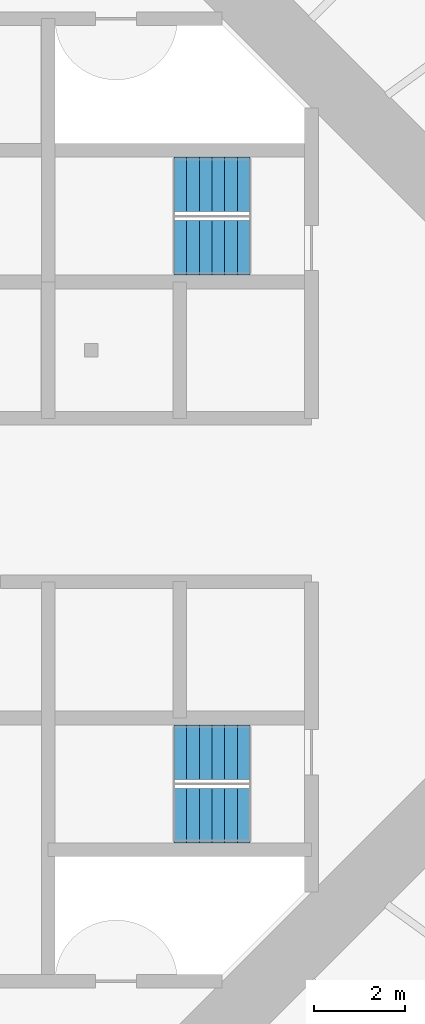
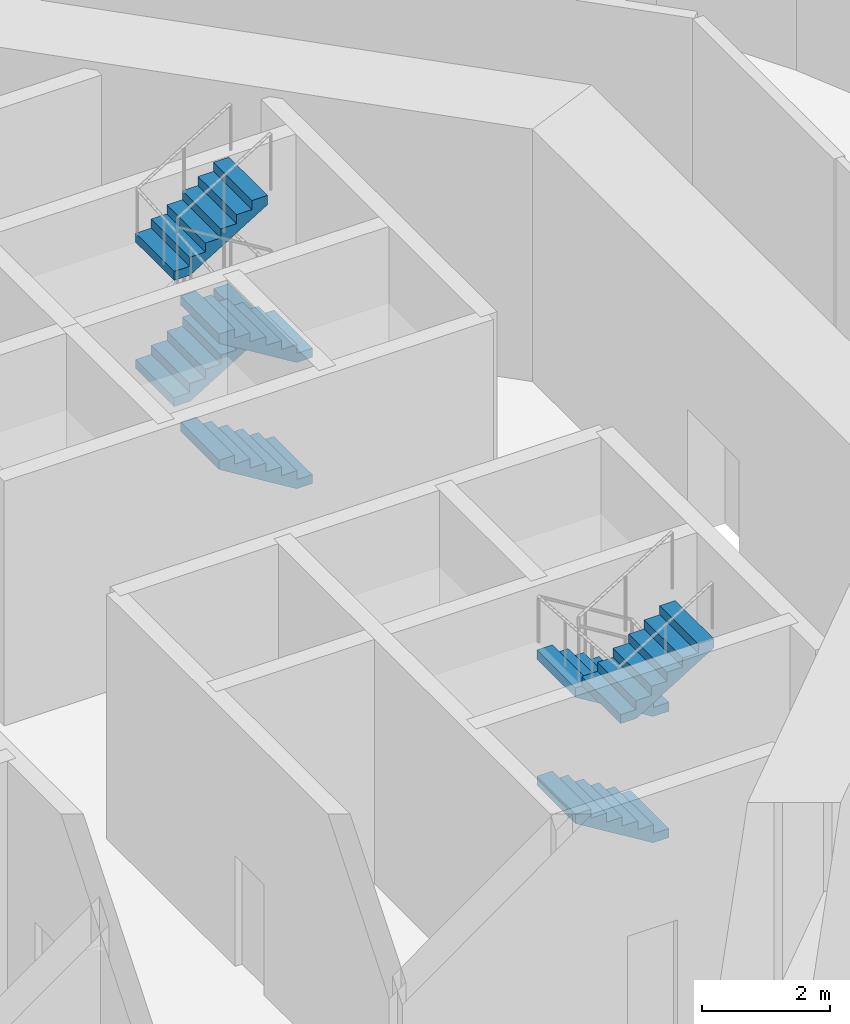
# One storey, part 6 of 7: 7 stair flights, 2 elements without a shape of their own.
"""IFC4 building model written with IfcOpenShell, lengths in metres."""

from ifc_helpers import new_model, si_unit, direction, frame, origin, place, context, subcontext, project, spatial, polyline, outline, extrude, material, type_object, element, aggregate, save


model = new_model("IFC4")

# Units and contexts
model_context = context("Model", 3, precision=1e-05, world=origin(), true_north=direction((0.0, 1.0)))
body_context = subcontext(model_context, "Body", "Model", "MODEL_VIEW")
ifc_project = project(units=[si_unit("LENGTHUNIT", "METRE"), si_unit("AREAUNIT", "SQUARE_METRE"), si_unit("VOLUMEUNIT", "CUBIC_METRE"), si_unit("PLANEANGLEUNIT", "RADIAN"), si_unit("MASSUNIT", "GRAM", prefix="KILO")], contexts=[model_context])

# Site, building, storey
site_placement = place(None, origin())
site = spatial("IfcSite", under=ifc_project, at=site_placement, CompositionType="ELEMENT")
building_placement = place(site_placement, origin())
building = spatial("IfcBuilding", under=site, at=building_placement, Name="Entoto Ring Tower", CompositionType="ELEMENT")
storey_placement = place(building_placement, frame((0.0, 0.0, -4.800048828125)))
storey = spatial("IfcBuildingStorey", under=building, at=storey_placement, Name="B1", CompositionType="ELEMENT", Elevation=-4.800048828125)

# Stair, stair flights
ifc_material_1 = material(Name="Concrete C40/50", Category="concrete")
stair_type = type_object("IfcStairType", Name="Exit stair 1200 mm dog-leg reinforced concrete", PredefinedType="HALF_TURN_STAIR", material=ifc_material_1)
stair_1_placement = place(storey_placement, origin())
stair_1 = element("IfcStair", 1, at=stair_1_placement, inside=storey, type_object=stair_type, Name="Exit stair 1", PredefinedType="HALF_TURN_STAIR")
ifc_material_2 = material(Name="Concrete C40/50", Category="concrete")
stair_flight_type = type_object("IfcStairFlightType", Name="Stair flight 1200 mm reinforced concrete", PredefinedType="STRAIGHT", material=ifc_material_2)
stair_flight_1_placement = place(storey_placement, frame((99.25, 85.550048828125, 0.0), z_axis=(0.0, 0.0, 1.0), x_axis=(-1.0, 0.0, 0.0)))
stair_flight_1 = element("IfcStairFlight", 2, at=stair_flight_1_placement, type_object=stair_flight_type, Name="ST1 flight 1", NumberOfRisers=7, NumberOfTreads=6, PredefinedType="STRAIGHT", RiserHeight=0.171428571, TreadLength=0.28, context=body_context, shape_type="SweptSolid", body=[
    extrude(outline(polyline([(0.0, 0.0), (0.0, 0.05712890625), (0.0, 0.1142578125), (0.0, 0.17138671875), (0.280029296875, 0.17138671875), (0.280029296875, 0.3427734375), (0.56005859375, 0.3427734375), (0.56005859375, 0.514404296875), (0.840087890625, 0.514404296875), (0.840087890625, 0.685791015625), (1.1201171875, 0.685791015625), (1.1201171875, 0.857177734375), (1.39990234375, 0.857177734375), (1.39990234375, 1.028564453125), (1.679931640625, 1.028564453125), (1.679931640625, 1.199951171875), (1.679931640625, 1.084228515625), (1.679931640625, 0.968505859375), (1.679931640625, 0.852783203125), (0.287109375, 0.0), (0.0, 0.0)])), frame((0.0, 0.60009765625, 0.0), z_axis=(0.0, -1.0, 0.0), x_axis=(1.0, 0.0, 0.0)), (0.0, 0.0, 1.0), 1.199951171875),
])
stair_flight_2_placement = place(storey_placement, frame((97.570068359375, 86.949951171875, 1.199951171875), z_axis=(0.0, 0.0, 1.0), x_axis=(1.0, 0.0, 0.0)))
stair_flight_2 = element("IfcStairFlight", 3, at=stair_flight_2_placement, type_object=stair_flight_type, Name="ST1 flight 2", NumberOfRisers=7, NumberOfTreads=6, PredefinedType="STRAIGHT", RiserHeight=0.171428571, TreadLength=0.28, context=body_context, shape_type="SweptSolid", body=[
    extrude(outline(polyline([(0.0, 0.0), (0.0, 0.05712890625), (0.0, 0.1142578125), (0.0, 0.17138671875), (0.280029296875, 0.17138671875), (0.280029296875, 0.3427734375), (0.56005859375, 0.3427734375), (0.56005859375, 0.514404296875), (0.840087890625, 0.514404296875), (0.840087890625, 0.685791015625), (1.1201171875, 0.685791015625), (1.1201171875, 0.857177734375), (1.39990234375, 0.857177734375), (1.39990234375, 1.028564453125), (1.679931640625, 1.028564453125), (1.679931640625, 1.199951171875), (1.679931640625, 1.084228515625), (1.679931640625, 0.968505859375), (1.679931640625, 0.852783203125), (0.287109375, 0.0), (0.0, 0.0)])), frame((0.0, 0.60009765625, 0.0), z_axis=(0.0, -1.0, 0.0), x_axis=(1.0, 0.0, 0.0)), (0.0, 0.0, 1.0), 1.199951171875),
])
stair_flight_3_placement = place(storey_placement, frame((99.25, 85.550048828125, 2.400146484375), z_axis=(0.0, 0.0, 1.0), x_axis=(-1.0, 0.0, 0.0)))
stair_flight_3 = element("IfcStairFlight", 4, at=stair_flight_3_placement, type_object=stair_flight_type, Name="ST1 flight 3", NumberOfRisers=7, NumberOfTreads=6, PredefinedType="STRAIGHT", RiserHeight=0.171428571, TreadLength=0.28, context=body_context, shape_type="SweptSolid", body=[
    extrude(outline(polyline([(0.0, 0.0), (0.0, 0.05712890625), (0.0, 0.1142578125), (0.0, 0.17138671875), (0.280029296875, 0.17138671875), (0.280029296875, 0.3427734375), (0.56005859375, 0.3427734375), (0.56005859375, 0.514404296875), (0.840087890625, 0.514404296875), (0.840087890625, 0.685791015625), (1.1201171875, 0.685791015625), (1.1201171875, 0.857177734375), (1.39990234375, 0.857177734375), (1.39990234375, 1.028564453125), (1.679931640625, 1.028564453125), (1.679931640625, 1.199951171875), (1.679931640625, 1.084228515625), (1.679931640625, 0.968505859375), (1.679931640625, 0.852783203125), (0.287109375, 0.0), (0.0, 0.0)])), frame((0.0, 0.60009765625, 0.0), z_axis=(0.0, -1.0, 0.0), x_axis=(1.0, 0.0, 0.0)), (0.0, 0.0, 1.0), 1.199951171875),
])
stair_flight_4_placement = place(storey_placement, frame((97.570068359375, 86.949951171875, 3.60009765625), z_axis=(0.0, 0.0, 1.0), x_axis=(1.0, 0.0, 0.0)))
stair_flight_4 = element("IfcStairFlight", 5, at=stair_flight_4_placement, type_object=stair_flight_type, Name="ST1 flight 4", NumberOfRisers=7, NumberOfTreads=6, PredefinedType="STRAIGHT", RiserHeight=0.171428571, TreadLength=0.28, context=body_context, shape_type="SweptSolid", body=[
    extrude(outline(polyline([(0.0, 0.0), (0.0, 0.05712890625), (0.0, 0.1142578125), (0.0, 0.17138671875), (0.280029296875, 0.17138671875), (0.280029296875, 0.3427734375), (0.56005859375, 0.3427734375), (0.56005859375, 0.514404296875), (0.840087890625, 0.514404296875), (0.840087890625, 0.685791015625), (1.1201171875, 0.685791015625), (1.1201171875, 0.857177734375), (1.39990234375, 0.857177734375), (1.39990234375, 1.028564453125), (1.679931640625, 1.028564453125), (1.679931640625, 1.199951171875), (1.679931640625, 1.084228515625), (1.679931640625, 0.968505859375), (1.679931640625, 0.852783203125), (0.287109375, 0.0), (0.0, 0.0)])), frame((0.0, 0.60009765625, 0.0), z_axis=(0.0, -1.0, 0.0), x_axis=(1.0, 0.0, 0.0)), (0.0, 0.0, 1.0), 1.199951171875),
])
aggregate(stair_1, [stair_flight_1, stair_flight_2, stair_flight_3, stair_flight_4])

stair_2_placement = place(storey_placement, origin())
stair_2 = element("IfcStair", 6, at=stair_2_placement, inside=storey, type_object=stair_type, Name="Exit stair 3", PredefinedType="HALF_TURN_STAIR")
stair_flight_5_placement = place(storey_placement, frame((99.25, 74.449951171875, 0.0), z_axis=(0.0, 0.0, 1.0), x_axis=(-1.0, 0.0, 0.0)))
stair_flight_5 = element("IfcStairFlight", 7, at=stair_flight_5_placement, type_object=stair_flight_type, Name="ST3 flight 1", NumberOfRisers=7, NumberOfTreads=6, PredefinedType="STRAIGHT", RiserHeight=0.171428571, TreadLength=0.28, context=body_context, shape_type="SweptSolid", body=[
    extrude(outline(polyline([(0.0, 0.0), (0.0, 0.05712890625), (0.0, 0.1142578125), (0.0, 0.17138671875), (0.280029296875, 0.17138671875), (0.280029296875, 0.3427734375), (0.56005859375, 0.3427734375), (0.56005859375, 0.514404296875), (0.840087890625, 0.514404296875), (0.840087890625, 0.685791015625), (1.1201171875, 0.685791015625), (1.1201171875, 0.857177734375), (1.39990234375, 0.857177734375), (1.39990234375, 1.028564453125), (1.679931640625, 1.028564453125), (1.679931640625, 1.199951171875), (1.679931640625, 1.084228515625), (1.679931640625, 0.968505859375), (1.679931640625, 0.852783203125), (0.287109375, 0.0), (0.0, 0.0)])), frame((0.0, 0.60009765625, 0.0), z_axis=(0.0, -1.0, 0.0), x_axis=(1.0, 0.0, 0.0)), (0.0, 0.0, 1.0), 1.199951171875),
])
stair_flight_6_placement = place(storey_placement, frame((99.25, 74.449951171875, 2.400146484375), z_axis=(0.0, 0.0, 1.0), x_axis=(-1.0, 0.0, 0.0)))
stair_flight_6 = element("IfcStairFlight", 8, at=stair_flight_6_placement, type_object=stair_flight_type, Name="ST3 flight 3", NumberOfRisers=7, NumberOfTreads=6, PredefinedType="STRAIGHT", RiserHeight=0.171428571, TreadLength=0.28, context=body_context, shape_type="SweptSolid", body=[
    extrude(outline(polyline([(0.0, 0.0), (0.0, 0.05712890625), (0.0, 0.1142578125), (0.0, 0.17138671875), (0.280029296875, 0.17138671875), (0.280029296875, 0.3427734375), (0.56005859375, 0.3427734375), (0.56005859375, 0.514404296875), (0.840087890625, 0.514404296875), (0.840087890625, 0.685791015625), (1.1201171875, 0.685791015625), (1.1201171875, 0.857177734375), (1.39990234375, 0.857177734375), (1.39990234375, 1.028564453125), (1.679931640625, 1.028564453125), (1.679931640625, 1.199951171875), (1.679931640625, 1.084228515625), (1.679931640625, 0.968505859375), (1.679931640625, 0.852783203125), (0.287109375, 0.0), (0.0, 0.0)])), frame((0.0, 0.60009765625, 0.0), z_axis=(0.0, -1.0, 0.0), x_axis=(1.0, 0.0, 0.0)), (0.0, 0.0, 1.0), 1.199951171875),
])
stair_flight_7_placement = place(storey_placement, frame((97.570068359375, 73.050048828125, 3.60009765625), z_axis=(0.0, 0.0, 1.0), x_axis=(1.0, 0.0, 0.0)))
stair_flight_7 = element("IfcStairFlight", 9, at=stair_flight_7_placement, type_object=stair_flight_type, Name="ST3 flight 4", NumberOfRisers=7, NumberOfTreads=6, PredefinedType="STRAIGHT", RiserHeight=0.171428571, TreadLength=0.28, context=body_context, shape_type="SweptSolid", body=[
    extrude(outline(polyline([(0.0, 0.0), (0.0, 0.05712890625), (0.0, 0.1142578125), (0.0, 0.17138671875), (0.280029296875, 0.17138671875), (0.280029296875, 0.3427734375), (0.56005859375, 0.3427734375), (0.56005859375, 0.514404296875), (0.840087890625, 0.514404296875), (0.840087890625, 0.685791015625), (1.1201171875, 0.685791015625), (1.1201171875, 0.857177734375), (1.39990234375, 0.857177734375), (1.39990234375, 1.028564453125), (1.679931640625, 1.028564453125), (1.679931640625, 1.199951171875), (1.679931640625, 1.084228515625), (1.679931640625, 0.968505859375), (1.679931640625, 0.852783203125), (0.287109375, 0.0), (0.0, 0.0)])), frame((0.0, 0.60009765625, 0.0), z_axis=(0.0, -1.0, 0.0), x_axis=(1.0, 0.0, 0.0)), (0.0, 0.0, 1.0), 1.199951171875),
])
aggregate(stair_2, [stair_flight_5, stair_flight_6, stair_flight_7])

save(model, "model.ifc")
